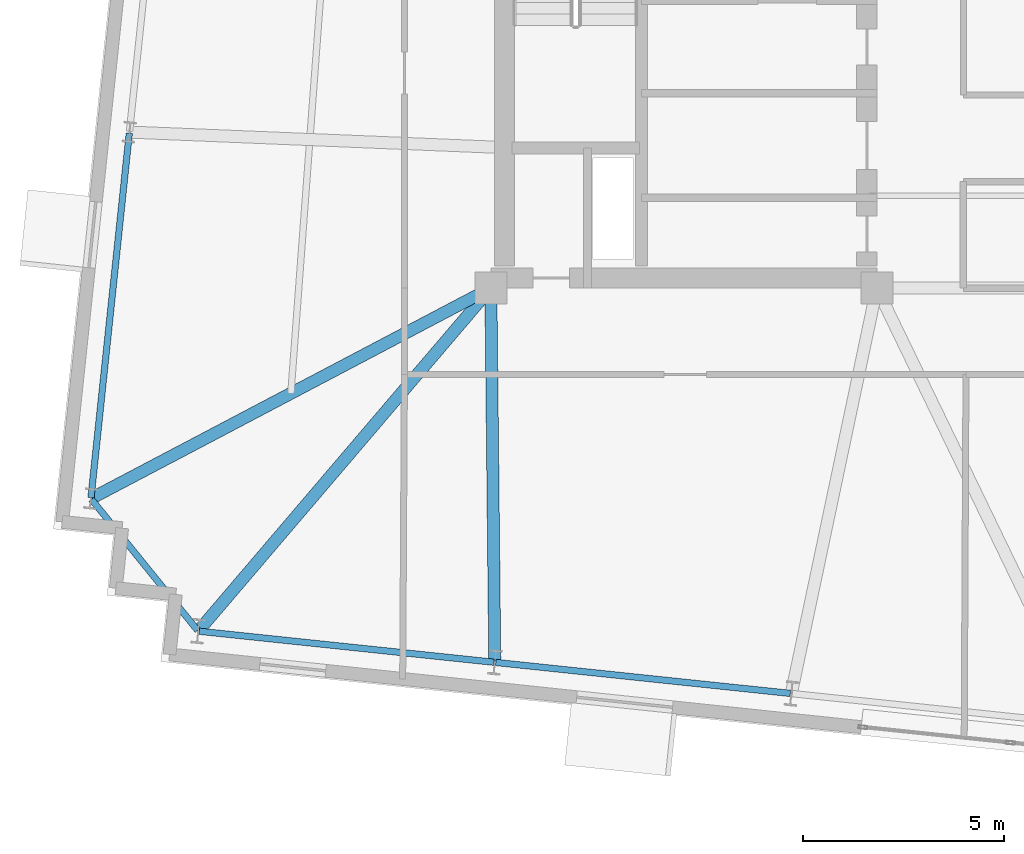
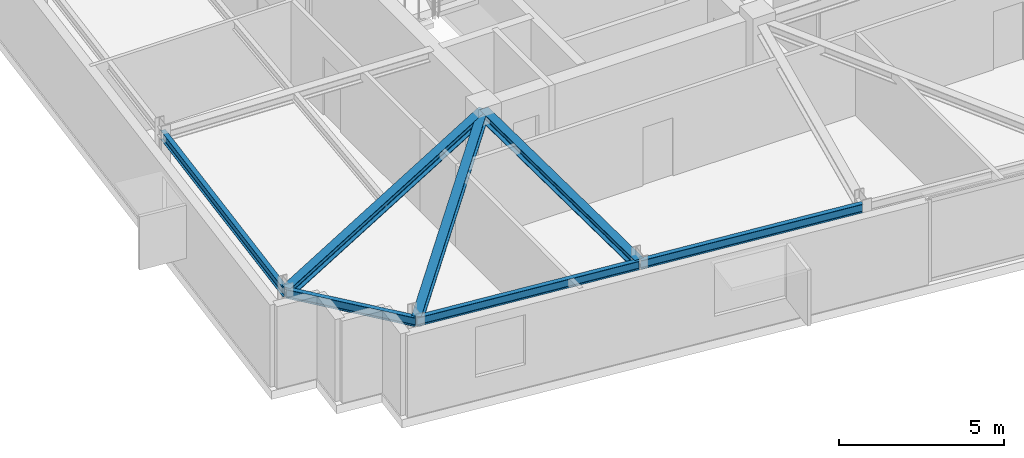
# One storey, part 4 of 13: 7 beams.
"""IFC4 building model written with IfcOpenShell, lengths in metres."""

from ifc_helpers import new_model, si_unit, direction, frame, origin, origin_2d, place, context, subcontext, project, spatial, i_section, extrude, material, material_profile, profile_set, type_object, element, save


model = new_model("IFC4")

# Units and contexts
model_context = context("Model", 3, precision=1e-05, world=origin(), true_north=direction((0.0, 1.0)))
body_context = subcontext(model_context, "Body", "Model", "MODEL_VIEW")
ifc_project = project(units=[si_unit("LENGTHUNIT", "METRE"), si_unit("AREAUNIT", "SQUARE_METRE"), si_unit("VOLUMEUNIT", "CUBIC_METRE"), si_unit("PLANEANGLEUNIT", "RADIAN"), si_unit("MASSUNIT", "GRAM", prefix="KILO")], contexts=[model_context])

# Site, building, storey
site_placement = place(None, origin())
site = spatial("IfcSite", under=ifc_project, at=site_placement, CompositionType="ELEMENT")
building_placement = place(site_placement, origin())
building = spatial("IfcBuilding", under=site, at=building_placement, Name="Qobustan Lattice House", CompositionType="ELEMENT")
storey_placement = place(building_placement, frame((0.0, 0.0, 196.39990234375)))
storey = spatial("IfcBuildingStorey", under=building, at=storey_placement, Name="L55", CompositionType="ELEMENT", Elevation=196.39990234375)

# Beams
ifc_material_1 = material(Name="Steel S355", Category="steel")
ifc_material_profile_1 = material_profile(ifc_material_1, i_section(OverallWidth=0.300048828125, OverallDepth=0.360107421875, WebThickness=0.012451171875, FlangeThickness=0.0224609375, FilletRadius=0.027099609375, at=origin_2d()), Name="HEB360")
ifc_profile_set_1 = profile_set([ifc_material_profile_1], Name="Steel S355")
beam_type_1 = type_object("IfcBeamType", Name="BM-FLG-HEB360", PredefinedType="USERDEFINED", material=ifc_profile_set_1)
beam_1_placement = place(storey_placement, frame((-26.062744140625, -14.113525390625, 2.860107421875), z_axis=(0.649006911642, 0.760782510736, 0.0), x_axis=(-0.760782510736, 0.649006911642, 0.0)))
element("IfcBeam", 1, at=beam_1_placement, inside=storey, type_object=beam_type_1, Name="L55 primary floor girder RAD-S1W", ObjectType="GIRDER", PredefinedType="USERDEFINED", context=body_context, shape_type="SweptSolid", body=[
    extrude(i_section(OverallWidth=0.300048828125, OverallDepth=0.360107421875, WebThickness=0.012451171875, FlangeThickness=0.0224609375, FilletRadius=0.027099609375, at=origin_2d()), origin(), (0.0, 0.0, 1.0), 11.16552734375),
])
beam_2_placement = place(storey_placement, frame((-18.703125, -14.8828125, 2.860107421875), z_axis=(-0.010442468578, 0.999945475939, 0.0), x_axis=(-0.999945475939, -0.010442468578, 0.0)))
element("IfcBeam", 2, at=beam_2_placement, inside=storey, type_object=beam_type_1, Name="L55 primary floor girder RAD-S2", ObjectType="GIRDER", PredefinedType="USERDEFINED", context=body_context, shape_type="SweptSolid", body=[
    extrude(i_section(OverallWidth=0.300048828125, OverallDepth=0.360107421875, WebThickness=0.012451171875, FlangeThickness=0.0224609375, FilletRadius=0.027099609375, at=origin_2d()), origin(), (0.0, 0.0, 1.0), 9.25830078125),
])
beam_3_placement = place(storey_placement, frame((-28.726806640625, -10.82373046875, 2.860107421875), z_axis=(0.884950868639, 0.465684399669, 0.0), x_axis=(-0.465684399669, 0.884950868639, 0.0)))
element("IfcBeam", 3, at=beam_3_placement, inside=storey, type_object=beam_type_1, Name="L55 primary floor girder RAD-W4", ObjectType="GIRDER", PredefinedType="USERDEFINED", context=body_context, shape_type="SweptSolid", body=[
    extrude(i_section(OverallWidth=0.300048828125, OverallDepth=0.360107421875, WebThickness=0.012451171875, FlangeThickness=0.0224609375, FilletRadius=0.027099609375, at=origin_2d()), origin(), (0.0, 0.0, 1.0), 11.1923828125),
])
ifc_material_2 = material(Name="Steel S355", Category="steel")
ifc_material_profile_2 = material_profile(ifc_material_2, i_section(OverallWidth=0.159912109375, OverallDepth=0.330078125, WebThickness=0.007568359375, FlangeThickness=0.011474609375, FilletRadius=0.01806640625, at=origin_2d()), Name="IPE330")
ifc_profile_set_2 = profile_set([ifc_material_profile_2], Name="Steel S355")
beam_type_2 = type_object("IfcBeamType", Name="BM-SPD-IPE330", PredefinedType="SPANDREL", material=ifc_profile_set_2)
beam_4_placement = place(storey_placement, frame((-26.05419921875, -14.135009765625, 2.875), z_axis=(0.99452214685, -0.104526070551, 0.0), x_axis=(0.104526070551, 0.99452214685, 0.0)))
element("IfcBeam", 4, at=beam_4_placement, inside=storey, type_object=beam_type_2, Name="L55 perimeter spandrel S1-S2", PredefinedType="SPANDREL", context=body_context, shape_type="SweptSolid", body=[
    extrude(i_section(OverallWidth=0.159912109375, OverallDepth=0.330078125, WebThickness=0.007568359375, FlangeThickness=0.011474609375, FilletRadius=0.01806640625, at=origin_2d()), origin(), (0.0, 0.0, 1.0), 7.36669921875),
])
beam_5_placement = place(storey_placement, frame((-18.677978515625, -14.910400390625, 2.875), z_axis=(0.994521784746, -0.104529515765, 0.0), x_axis=(0.104529515765, 0.994521784746, 0.0)))
element("IfcBeam", 5, at=beam_5_placement, inside=storey, type_object=beam_type_2, Name="L55 perimeter spandrel S2-S3", PredefinedType="SPANDREL", context=body_context, shape_type="SweptSolid", body=[
    extrude(i_section(OverallWidth=0.159912109375, OverallDepth=0.330078125, WebThickness=0.007568359375, FlangeThickness=0.011474609375, FilletRadius=0.01806640625, at=origin_2d()), origin(), (0.0, 0.0, 1.0), 7.366455078125),
])
beam_6_placement = place(storey_placement, frame((-27.79345703125, -1.743896484375, 2.875), z_axis=(-0.104524466745, -0.994522315412, 0.0), x_axis=(0.994522315412, -0.104524466745, 0.0)))
element("IfcBeam", 6, at=beam_6_placement, inside=storey, type_object=beam_type_2, Name="L55 perimeter spandrel W3-W4", PredefinedType="SPANDREL", context=body_context, shape_type="SweptSolid", body=[
    extrude(i_section(OverallWidth=0.159912109375, OverallDepth=0.330078125, WebThickness=0.007568359375, FlangeThickness=0.011474609375, FilletRadius=0.01806640625, at=origin_2d()), origin(), (0.0, 0.0, 1.0), 9.116455078125),
])
beam_7_placement = place(storey_placement, frame((-28.733154296875, -10.854736328125, 2.875), z_axis=(0.629307107299, -0.777156718239, 0.0), x_axis=(0.777156718239, 0.629307107299, 0.0)))
element("IfcBeam", 7, at=beam_7_placement, inside=storey, type_object=beam_type_2, Name="L55 perimeter spandrel W4-S1", PredefinedType="SPANDREL", context=body_context, shape_type="SweptSolid", body=[
    extrude(i_section(OverallWidth=0.159912109375, OverallDepth=0.330078125, WebThickness=0.007568359375, FlangeThickness=0.011474609375, FilletRadius=0.01806640625, at=origin_2d()), origin(), (0.0, 0.0, 1.0), 4.192626953125),
])

save(model, "model.ifc")
